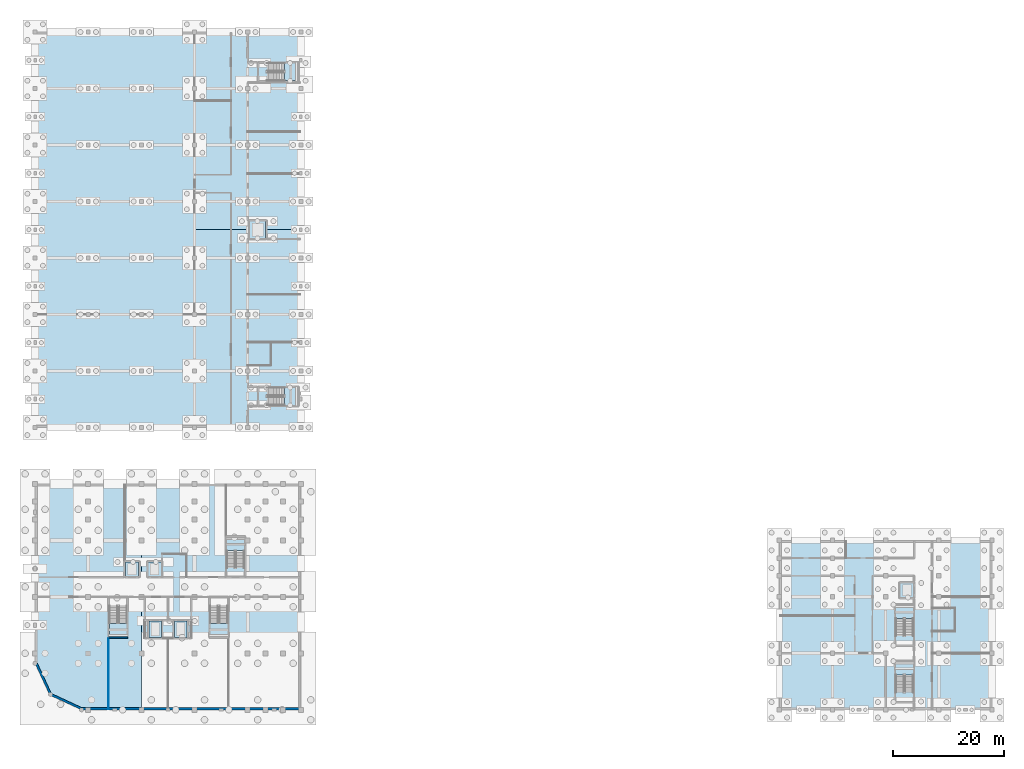
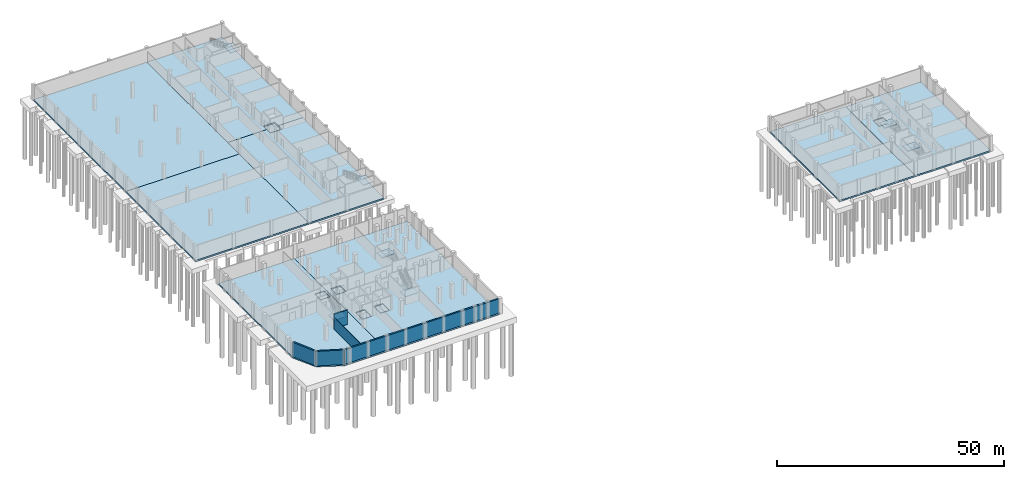
# One storey, part 8 of 18: 21 slabs, 5 walls, 7 elements without a shape of their own.
"""IFC4 building model written with IfcOpenShell, lengths in metres."""

from ifc_helpers import new_model, si_unit, direction, frame, frame_2d, origin, place, context, subcontext, project, spatial, polyline, rectangle, outline, extrude, material, layer, layer_set, type_object, element, aggregate, save


model = new_model("IFC4")

# Units and contexts
model_context = context("Model", 3, precision=1e-05, world=origin(), true_north=direction((0.0, 1.0)))
body_context = subcontext(model_context, "Body", "Model", "MODEL_VIEW")
ifc_project = project(units=[si_unit("LENGTHUNIT", "METRE"), si_unit("AREAUNIT", "SQUARE_METRE"), si_unit("VOLUMEUNIT", "CUBIC_METRE"), si_unit("PLANEANGLEUNIT", "RADIAN"), si_unit("MASSUNIT", "GRAM", prefix="KILO")], contexts=[model_context])

# Site, building, storey
site_placement = place(None, origin())
site = spatial("IfcSite", under=ifc_project, at=site_placement, CompositionType="ELEMENT")
building_placement = place(site_placement, origin())
building = spatial("IfcBuilding", under=site, at=building_placement, Name="Vondelvale Polytechnic", CompositionType="ELEMENT")
storey_placement = place(building_placement, frame((0.0, 0.0, -4.199951171875)))
storey = spatial("IfcBuildingStorey", under=building, at=storey_placement, Name="B1", CompositionType="ELEMENT", Elevation=-4.199951171875)

# Slabs
ifc_material_1 = material(Name="Concrete N40 (f'c = 40 MPa)", Category="concrete")
ifc_layer_1 = layer(ifc_material_1, 0.39990234375)
ifc_layer_set_1 = layer_set([ifc_layer_1], Name="SLB-BASE-400")
slab_type_1 = type_object("IfcSlabType", Name="SLB-BASE-400", PredefinedType="BASESLAB", material=ifc_layer_set_1)
slab_1_placement = place(storey_placement, frame((0.0, 0.0, -0.400146484375)))
element("IfcSlab", 1, at=slab_1_placement, inside=storey, type_object=slab_type_1, Name="B1 workshop crane hall slab WS", PredefinedType="BASESLAB", context=body_context, shape_type="SweptSolid", body=[
    extrude(outline(polyline([(0.0, 51.0), (28.800048828125, 51.0), (28.800048828125, 81.60009765625), (0.0, 81.60009765625), (0.0, 51.0)])), origin(), (0.0, 0.0, 1.0), 0.400146484375),
])
slab_2_placement = place(storey_placement, frame((0.0, 0.0, -0.400146484375)))
element("IfcSlab", 2, at=slab_2_placement, inside=storey, type_object=slab_type_1, Name="B1 workshop crane hall slab WN", PredefinedType="BASESLAB", context=body_context, shape_type="SweptSolid", body=[
    extrude(outline(polyline([(0.0, 81.60009765625), (28.800048828125, 81.60009765625), (28.800048828125, 122.39990234375), (0.0, 122.39990234375), (0.0, 81.60009765625)])), origin(), (0.0, 0.0, 1.0), 0.400146484375),
])
slab_3_placement = place(storey_placement, frame((0.0, 0.0, -0.400146484375)))
element("IfcSlab", 3, at=slab_3_placement, inside=storey, type_object=slab_type_1, Name="B1 workshop support slab ES", PredefinedType="BASESLAB", context=body_context, shape_type="SweptSolid", body=[
    extrude(outline(polyline([(48.0, 86.699951171875), (48.0, 51.0), (28.800048828125, 51.0), (28.800048828125, 86.699951171875), (38.739990234375, 86.699951171875), (38.739990234375, 85.139892578125), (41.659912109375, 85.139892578125), (41.659912109375, 86.699951171875), (48.0, 86.699951171875)])), origin(), (0.0, 0.0, 1.0), 0.400146484375),
])
slab_4_placement = place(storey_placement, frame((0.0, 0.0, -0.400146484375)))
element("IfcSlab", 4, at=slab_4_placement, inside=storey, type_object=slab_type_1, Name="B1 workshop support slab EN", PredefinedType="BASESLAB", context=body_context, shape_type="SweptSolid", body=[
    extrude(outline(polyline([(28.800048828125, 86.699951171875), (28.800048828125, 122.39990234375), (48.0, 122.39990234375), (48.0, 86.699951171875), (41.659912109375, 86.699951171875), (41.659912109375, 88.260009765625), (38.739990234375, 88.260009765625), (38.739990234375, 86.699951171875), (28.800048828125, 86.699951171875)])), origin(), (0.0, 0.0, 1.0), 0.400146484375),
])
slab_5_placement = place(storey_placement, frame((0.0, 0.0, -0.400146484375)))
element("IfcSlab", 5, at=slab_5_placement, inside=storey, type_object=slab_type_1, Name="B1 corner wing West slab", PredefinedType="BASESLAB", context=body_context, shape_type="SweptSolid", body=[
    extrude(outline(polyline([(8.39990234375, 0.0), (19.199951171875, 0.0), (19.199951171875, 40.800048828125), (0.0, 40.800048828125), (0.0, 8.39990234375), (2.800048828125, 2.800048828125), (8.39990234375, 0.0)]), holes=[polyline([(16.2900390625, 24.090087890625), (18.7099609375, 24.090087890625), (18.7099609375, 26.7099609375), (16.2900390625, 26.7099609375), (16.2900390625, 24.090087890625)])]), origin(), (0.0, 0.0, 1.0), 0.400146484375),
])
slab_6_placement = place(storey_placement, frame((0.0, 0.0, -0.400146484375)))
element("IfcSlab", 6, at=slab_6_placement, inside=storey, type_object=slab_type_1, Name="B1 corner wing East slab", PredefinedType="BASESLAB", context=body_context, shape_type="SweptSolid", body=[
    extrude(outline(polyline([(19.199951171875, 0.0), (48.0, 0.0), (48.0, 40.800048828125), (19.199951171875, 40.800048828125), (19.199951171875, 0.0)]), holes=[polyline([(20.5400390625, 13.0400390625), (22.860107421875, 13.0400390625), (22.860107421875, 16.06005859375), (20.5400390625, 16.06005859375), (20.5400390625, 13.0400390625)]), polyline([(25.139892578125, 13.0400390625), (27.4599609375, 13.0400390625), (27.4599609375, 16.06005859375), (25.139892578125, 16.06005859375), (25.139892578125, 13.0400390625)]), polyline([(20.389892578125, 24.090087890625), (22.81005859375, 24.090087890625), (22.81005859375, 26.7099609375), (20.389892578125, 26.7099609375), (20.389892578125, 24.090087890625)])]), origin(), (0.0, 0.0, 1.0), 0.400146484375),
])
slab_7_placement = place(storey_placement, frame((0.0, 0.0, -0.400146484375)))
element("IfcSlab", 7, at=slab_7_placement, inside=storey, type_object=slab_type_1, Name="B1 lecture wing slab W", PredefinedType="BASESLAB", context=body_context, shape_type="SweptSolid", body=[
    extrude(outline(polyline([(134.39990234375, 0.0), (153.60009765625, 0.0), (153.60009765625, 30.60009765625), (134.39990234375, 30.60009765625), (134.39990234375, 0.0)])), origin(), (0.0, 0.0, 1.0), 0.400146484375),
])
slab_8_placement = place(storey_placement, frame((0.0, 0.0, -0.400146484375)))
element("IfcSlab", 8, at=slab_8_placement, inside=storey, type_object=slab_type_1, Name="B1 lecture wing slab E", PredefinedType="BASESLAB", context=body_context, shape_type="SweptSolid", body=[
    extrude(outline(polyline([(153.60009765625, 0.0), (172.800048828125, 0.0), (172.800048828125, 30.60009765625), (153.60009765625, 30.60009765625), (153.60009765625, 0.0)]), holes=[polyline([(156.215087890625, 20.2900390625), (158.635009765625, 20.2900390625), (158.635009765625, 22.909912109375), (156.215087890625, 22.909912109375), (156.215087890625, 20.2900390625)])]), origin(), (0.0, 0.0, 1.0), 0.400146484375),
])

# Stair, slab
stair_type = type_object("IfcStairType", Name="STR-DOG-1500", PredefinedType="HALF_TURN_STAIR", material=ifc_material_1)
stair_1_placement = place(storey_placement, origin())
stair_1 = element("IfcStair", 9, at=stair_1_placement, inside=storey, type_object=stair_type, Name="B1 ST-01", PredefinedType="HALF_TURN_STAIR")
ifc_layer_2 = layer(ifc_material_1, 0.199951171875)
ifc_layer_set_2 = layer_set([ifc_layer_2], Name="SLB-LANDING-200")
slab_type_2 = type_object("IfcSlabType", Name="SLB-LANDING-200", PredefinedType="LANDING", material=ifc_layer_set_2)
slab_9_placement = place(storey_placement, frame((0.0, 0.0, 1.89990234375)))
slab_9 = element("IfcSlab", 10, at=slab_9_placement, type_object=slab_type_2, Name="ST-01 landing 1", PredefinedType="LANDING", context=body_context, shape_type="SweptSolid", body=[
    extrude(outline(polyline([(45.034912109375, 55.0), (47.449951171875, 55.0), (47.449951171875, 58.199951171875), (45.034912109375, 58.199951171875), (45.034912109375, 55.0)])), origin(), (0.0, 0.0, 1.0), 0.199951171875),
])
aggregate(stair_1, [slab_9])

stair_2_placement = place(storey_placement, origin())
stair_2 = element("IfcStair", 11, at=stair_2_placement, inside=storey, type_object=stair_type, Name="B1 ST-02", PredefinedType="HALF_TURN_STAIR")
slab_10_placement = place(storey_placement, frame((0.0, 0.0, 1.89990234375)))
slab_10 = element("IfcSlab", 12, at=slab_10_placement, type_object=slab_type_2, Name="ST-02 landing 1", PredefinedType="LANDING", context=body_context, shape_type="SweptSolid", body=[
    extrude(outline(polyline([(45.034912109375, 113.60009765625), (47.449951171875, 113.60009765625), (47.449951171875, 116.800048828125), (45.034912109375, 116.800048828125), (45.034912109375, 113.60009765625)])), origin(), (0.0, 0.0, 1.0), 0.199951171875),
])
aggregate(stair_2, [slab_10])

stair_3_placement = place(storey_placement, origin())
stair_3 = element("IfcStair", 13, at=stair_3_placement, inside=storey, type_object=stair_type, Name="B1 ST-03", PredefinedType="HALF_TURN_STAIR")
slab_11_placement = place(storey_placement, frame((0.0, 0.0, 1.89990234375)))
slab_11 = element("IfcSlab", 14, at=slab_11_placement, type_object=slab_type_2, Name="ST-03 landing 1", PredefinedType="LANDING", context=body_context, shape_type="SweptSolid", body=[
    extrude(outline(polyline([(13.39990234375, 15.614990234375), (13.39990234375, 13.199951171875), (16.60009765625, 13.199951171875), (16.60009765625, 15.614990234375), (13.39990234375, 15.614990234375)])), origin(), (0.0, 0.0, 1.0), 0.199951171875),
])
aggregate(stair_3, [slab_11])

stair_4_placement = place(storey_placement, origin())
stair_4 = element("IfcStair", 15, at=stair_4_placement, inside=storey, type_object=stair_type, Name="B1 ST-04", PredefinedType="HALF_TURN_STAIR")
slab_12_placement = place(storey_placement, frame((0.0, 0.0, 1.89990234375)))
slab_12 = element("IfcSlab", 16, at=slab_12_placement, type_object=slab_type_2, Name="ST-04 landing 1", PredefinedType="LANDING", context=body_context, shape_type="SweptSolid", body=[
    extrude(outline(polyline([(31.60009765625, 15.614990234375), (31.60009765625, 13.199951171875), (34.800048828125, 13.199951171875), (34.800048828125, 15.614990234375), (31.60009765625, 15.614990234375)])), origin(), (0.0, 0.0, 1.0), 0.199951171875),
])
aggregate(stair_4, [slab_12])

stair_5_placement = place(storey_placement, origin())
stair_5 = element("IfcStair", 17, at=stair_5_placement, inside=storey, type_object=stair_type, Name="B1 ST-05", PredefinedType="HALF_TURN_STAIR")
slab_13_placement = place(storey_placement, frame((0.0, 0.0, 1.89990234375)))
slab_13 = element("IfcSlab", 18, at=slab_13_placement, type_object=slab_type_2, Name="ST-05 landing 1", PredefinedType="LANDING", context=body_context, shape_type="SweptSolid", body=[
    extrude(outline(polyline([(37.800048828125, 28.735107421875), (37.800048828125, 31.14990234375), (34.60009765625, 31.14990234375), (34.60009765625, 28.735107421875), (37.800048828125, 28.735107421875)])), origin(), (0.0, 0.0, 1.0), 0.199951171875),
])
aggregate(stair_5, [slab_13])

stair_6_placement = place(storey_placement, origin())
stair_6 = element("IfcStair", 19, at=stair_6_placement, inside=storey, type_object=stair_type, Name="B1 ST-06", PredefinedType="HALF_TURN_STAIR")
slab_14_placement = place(storey_placement, frame((0.0, 0.0, 1.89990234375)))
slab_14 = element("IfcSlab", 20, at=slab_14_placement, type_object=slab_type_2, Name="ST-06 landing 1", PredefinedType="LANDING", context=body_context, shape_type="SweptSolid", body=[
    extrude(outline(polyline([(158.60009765625, 6.284912109375), (158.60009765625, 8.699951171875), (155.39990234375, 8.699951171875), (155.39990234375, 6.284912109375), (158.60009765625, 6.284912109375)])), origin(), (0.0, 0.0, 1.0), 0.199951171875),
])
aggregate(stair_6, [slab_14])

stair_7_placement = place(storey_placement, origin())
stair_7 = element("IfcStair", 21, at=stair_7_placement, inside=storey, type_object=stair_type, Name="B1 ST-07", PredefinedType="HALF_TURN_STAIR")
slab_15_placement = place(storey_placement, frame((0.0, 0.0, 1.89990234375)))
slab_15 = element("IfcSlab", 22, at=slab_15_placement, type_object=slab_type_2, Name="ST-07 landing 1", PredefinedType="LANDING", context=body_context, shape_type="SweptSolid", body=[
    extrude(outline(polyline([(158.60009765625, 16.485107421875), (158.60009765625, 18.89990234375), (155.39990234375, 18.89990234375), (155.39990234375, 16.485107421875), (158.60009765625, 16.485107421875)])), origin(), (0.0, 0.0, 1.0), 0.199951171875),
])
aggregate(stair_7, [slab_15])

# Slabs
ifc_layer_3 = layer(ifc_material_1, 0.25)
ifc_layer_set_3 = layer_set([ifc_layer_3], Name="SLB-LPIT-250")
slab_type_3 = type_object("IfcSlabType", Name="SLB-LPIT-250", PredefinedType="BASESLAB", material=ifc_layer_set_3)
slab_16_placement = place(storey_placement, frame((0.0, 0.0, -0.400146484375)))
element("IfcSlab", 23, at=slab_16_placement, inside=storey, type_object=slab_type_3, Name="EL-01 lift pit base slab", PredefinedType="BASESLAB", context=body_context, shape_type="SweptSolid", body=[
    extrude(outline(polyline([(20.550048828125, 13.050048828125), (22.85009765625, 13.050048828125), (22.85009765625, 16.050048828125), (20.550048828125, 16.050048828125), (20.550048828125, 13.050048828125)])), origin(), (0.0, 0.0, 1.0), 0.25),
])
slab_17_placement = place(storey_placement, frame((0.0, 0.0, -0.400146484375)))
element("IfcSlab", 24, at=slab_17_placement, inside=storey, type_object=slab_type_3, Name="EL-02 lift pit base slab", PredefinedType="BASESLAB", context=body_context, shape_type="SweptSolid", body=[
    extrude(outline(polyline([(25.14990234375, 13.050048828125), (27.449951171875, 13.050048828125), (27.449951171875, 16.050048828125), (25.14990234375, 16.050048828125), (25.14990234375, 13.050048828125)])), origin(), (0.0, 0.0, 1.0), 0.25),
])
slab_18_placement = place(storey_placement, frame((0.0, 0.0, -0.400146484375)))
element("IfcSlab", 25, at=slab_18_placement, inside=storey, type_object=slab_type_3, Name="PL-01 lift pit base slab", PredefinedType="BASESLAB", context=body_context, shape_type="SweptSolid", body=[
    extrude(outline(polyline([(16.300048828125, 24.10009765625), (18.699951171875, 24.10009765625), (18.699951171875, 26.699951171875), (16.300048828125, 26.699951171875), (16.300048828125, 24.10009765625)])), origin(), (0.0, 0.0, 1.0), 0.25),
])
slab_19_placement = place(storey_placement, frame((0.0, 0.0, -0.400146484375)))
element("IfcSlab", 26, at=slab_19_placement, inside=storey, type_object=slab_type_3, Name="PL-02 lift pit base slab", PredefinedType="BASESLAB", context=body_context, shape_type="SweptSolid", body=[
    extrude(outline(polyline([(20.39990234375, 24.10009765625), (22.800048828125, 24.10009765625), (22.800048828125, 26.699951171875), (20.39990234375, 26.699951171875), (20.39990234375, 24.10009765625)])), origin(), (0.0, 0.0, 1.0), 0.25),
])
slab_20_placement = place(storey_placement, frame((0.0, 0.0, -0.400146484375)))
element("IfcSlab", 27, at=slab_20_placement, inside=storey, type_object=slab_type_3, Name="PL-03 lift pit base slab", PredefinedType="BASESLAB", context=body_context, shape_type="SweptSolid", body=[
    extrude(outline(polyline([(156.22509765625, 20.300048828125), (158.625, 20.300048828125), (158.625, 22.89990234375), (156.22509765625, 22.89990234375), (156.22509765625, 20.300048828125)])), origin(), (0.0, 0.0, 1.0), 0.25),
])
slab_21_placement = place(storey_placement, frame((0.0, 0.0, -0.550048828125)))
element("IfcSlab", 28, at=slab_21_placement, inside=storey, type_object=slab_type_3, Name="GL-01 lift pit base slab", PredefinedType="BASESLAB", context=body_context, shape_type="SweptSolid", body=[
    extrude(outline(polyline([(38.75, 85.14990234375), (41.64990234375, 85.14990234375), (41.64990234375, 88.25), (38.75, 88.25), (38.75, 85.14990234375)])), origin(), (0.0, 0.0, 1.0), 0.25),
])

# Walls
ifc_layer_4 = layer(ifc_material_1, 0.25)
ifc_layer_set_4 = layer_set([ifc_layer_4], Name="WL-CORE-250")
wall_type_1 = type_object("IfcWallType", Name="WL-CORE-250", PredefinedType="SOLIDWALL", material=ifc_layer_set_4)
wall_1_placement = place(storey_placement, frame((13.27490234375, 13.074951171875, 0.0), z_axis=(0.0, 0.0, 1.0), x_axis=(1.0, 0.0, 0.0)))
element("IfcWall", 29, at=wall_1_placement, inside=storey, type_object=wall_type_1, Name="B1 ST-03 reinforced concrete stair core wall", PredefinedType="SOLIDWALL", context=body_context, shape_type="SweptSolid", body=[
    extrude(rectangle(XDim=3.4501953125, YDim=0.25, at=frame_2d((1.72509765625, 0.0))), origin(), (0.0, 0.0, 1.0), 3.89990234375),
])
ifc_material_2 = material(Name="Fire-rated double-layer plasterboard stud partition")
ifc_layer_5 = layer(ifc_material_2, 0.14990234375)
ifc_layer_set_5 = layer_set([ifc_layer_5], Name="WL-INT-150")
wall_type_2 = type_object("IfcWallType", Name="WL-INT-150", PredefinedType="PARTITIONING", material=ifc_layer_set_5)
wall_2_placement = place(storey_placement, frame((13.27490234375, 0.14990234375, 0.0), z_axis=(0.0, 0.0, 1.0), x_axis=(0.0, 1.0, 0.0)))
element("IfcWall", 30, at=wall_2_placement, inside=storey, type_object=wall_type_2, Name="B1 interior acoustic partition", PredefinedType="PARTITIONING", context=body_context, shape_type="SweptSolid", body=[
    extrude(rectangle(XDim=12.760009765625, YDim=0.14990234375, at=frame_2d((6.3798828125, 0.0))), origin(), (0.0, 0.0, 1.0), 3.179931640625),
])
ifc_layer_6 = layer(ifc_material_1, 0.39990234375)
ifc_layer_set_6 = layer_set([ifc_layer_6], Name="WL-RET-400")
wall_type_3 = type_object("IfcWallType", Name="WL-RET-400", PredefinedType="USERDEFINED", material=ifc_layer_set_6)
wall_3_placement = place(storey_placement, frame((8.39990234375, 0.199951171875, 0.0), z_axis=(0.0, 0.0, 1.0), x_axis=(1.0, 0.0, 0.0)))
element("IfcWall", 31, at=wall_3_placement, inside=storey, type_object=wall_type_3, Name="Basement retaining wall V2-S", ObjectType="RETAININGWALL", PredefinedType="USERDEFINED", context=body_context, shape_type="SweptSolid", body=[
    extrude(rectangle(XDim=39.400146484375, YDim=0.39990234375, at=frame_2d((19.7001953125, 0.0))), origin(), (0.0, 0.0, 1.0), 3.89990234375),
])
for number, where, z_axis, x_axis, name in (
    (32, (8.39990234375, 0.199951171875, 0.0), (0.0, 0.0, 1.0), (-0.906998718654, 0.421133380724, 0.0), "Basement retaining wall V2-CS"),
    (33, (2.800048828125, 2.800048828125, 0.0), (0.0, 0.0, 1.0), (-0.421133380724, 0.906998718654, 0.0), "Basement retaining wall V2-CW"),
):
    element("IfcWall", number, at=place(storey_placement, frame(where, z_axis=z_axis, x_axis=x_axis)), inside=storey, type_object=wall_type_3, Name=name, ObjectType="RETAININGWALL", PredefinedType="USERDEFINED", context=body_context, shape_type="SweptSolid", body=[
        extrude(rectangle(XDim=6.174072265625, YDim=0.39990234375, at=frame_2d((3.0869140625, 0.0))), origin(), (0.0, 0.0, 1.0), 3.89990234375),
    ])

save(model, "model.ifc")
